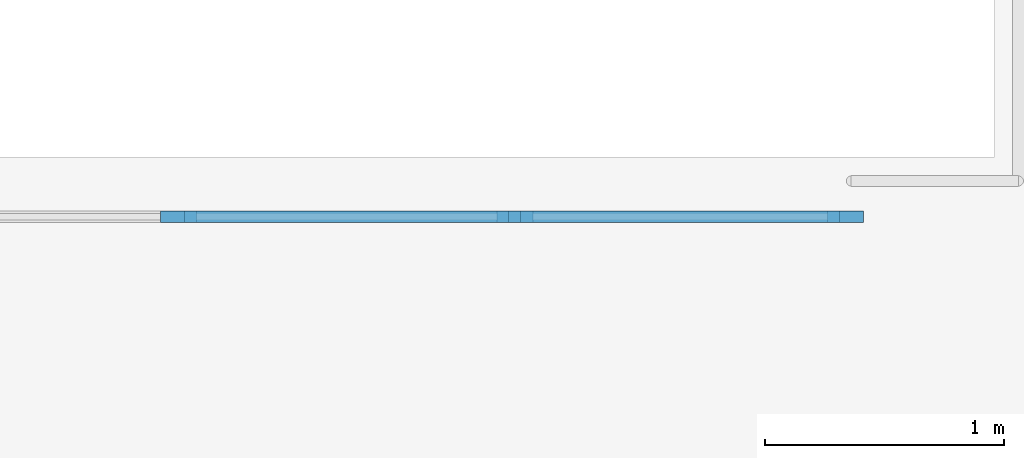
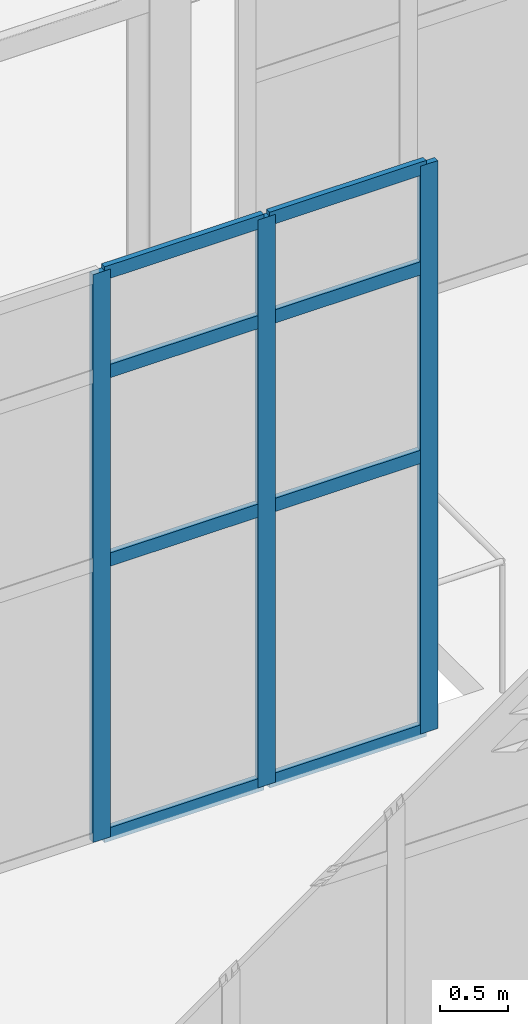
# One storey, part 34 of 139: 11 members, 1 element without a shape of its own.
"""IFC4 building model written with IfcOpenShell, lengths in metres."""

from ifc_helpers import new_model, si_unit, direction, frame, origin, origin_2d, place, context, subcontext, project, spatial, rectangle, extrude, material, layer, layer_set, material_profile, profile_set, type_object, element, aggregate, save


model = new_model("IFC4")

# Units and contexts
model_context = context("Model", 3, precision=1e-05, world=origin(), true_north=direction((0.0, 1.0)))
body_context = subcontext(model_context, "Body", "Model", "MODEL_VIEW")
ifc_project = project(units=[si_unit("LENGTHUNIT", "METRE"), si_unit("AREAUNIT", "SQUARE_METRE"), si_unit("VOLUMEUNIT", "CUBIC_METRE"), si_unit("PLANEANGLEUNIT", "RADIAN"), si_unit("MASSUNIT", "GRAM", prefix="KILO")], contexts=[model_context])

# Site, building, storey
site_placement = place(None, origin())
site = spatial("IfcSite", under=ifc_project, at=site_placement, CompositionType="ELEMENT")
building_placement = place(site_placement, origin())
building = spatial("IfcBuilding", under=site, at=building_placement, Name="Yeouljin Market Hall", CompositionType="ELEMENT")
storey_placement = place(building_placement, origin())
storey = spatial("IfcBuildingStorey", under=building, at=storey_placement, Name="L00", CompositionType="ELEMENT", Elevation=0.0)

# Curtain wall, members
ifc_material_1 = material(Name="Thermally Broken Aluminium", Category="aluminium")
ifc_layer = layer(ifc_material_1, 0.14990234375)
ifc_layer_set = layer_set([ifc_layer], Name="Thermally Broken Aluminium")
curtain_wall_type = type_object("IfcCurtainWallType", Name="CW_ColonnadeScreen_System", PredefinedType="USERDEFINED", material=ifc_layer_set)
curtain_wall_placement = place(storey_placement, origin())
curtain_wall = element("IfcCurtainWall", 1, at=curtain_wall_placement, inside=storey, type_object=curtain_wall_type, Name="Curtain wall CW-V5N-L00-4", ObjectType="CURTAIN WALL", PredefinedType="USERDEFINED")
ifc_material_2 = material(Name="Thermally Broken Aluminium", Category="aluminium")
ifc_material_profile_1 = material_profile(ifc_material_2, rectangle(XDim=0.048095703125, YDim=0.14990234375, at=origin_2d()), Name="CW-MULL-48x150")
ifc_profile_set_1 = profile_set([ifc_material_profile_1], Name="Thermally Broken Aluminium")
member_type_1 = type_object("IfcMemberType", Name="CWMullion_48x150", PredefinedType="MULLION", material=ifc_profile_set_1)
member_1_placement = place(storey_placement, frame((118.38330078125, 4.550048828125, 0.0), z_axis=(0.0, 0.0, 1.0), x_axis=(0.0, 1.0, 0.0)))
member_1 = element("IfcMember", 2, at=member_1_placement, type_object=member_type_1, Name="CW-06 mullion 5", PredefinedType="MULLION", context=body_context, shape_type="SweptSolid", body=[
    extrude(rectangle(XDim=0.048095703125, YDim=0.14990234375, at=origin_2d()), origin(), (0.0, 0.0, 1.0), 5.1201171875),
])
member_2_placement = place(storey_placement, frame((119.791748046875, 4.550048828125, 0.0), z_axis=(0.0, 0.0, 1.0), x_axis=(0.0, 1.0, 0.0)))
member_2 = element("IfcMember", 3, at=member_2_placement, type_object=member_type_1, Name="CW-06 mullion 6", PredefinedType="MULLION", context=body_context, shape_type="SweptSolid", body=[
    extrude(rectangle(XDim=0.048095703125, YDim=0.14990234375, at=origin_2d()), origin(), (0.0, 0.0, 1.0), 5.1201171875),
])
member_3_placement = place(storey_placement, frame((121.176025390625, 4.550048828125, 0.0), z_axis=(0.0, 0.0, 1.0), x_axis=(0.0, 1.0, 0.0)))
member_3 = element("IfcMember", 4, at=member_3_placement, type_object=member_type_1, Name="CW-06 mullion 7", PredefinedType="MULLION", context=body_context, shape_type="SweptSolid", body=[
    extrude(rectangle(XDim=0.048095703125, YDim=0.14990234375, at=origin_2d()), origin(), (0.0, 0.0, 1.0), 5.1201171875),
])
ifc_material_3 = material(Name="Thermally Broken Aluminium", Category="aluminium")
ifc_material_profile_2 = material_profile(ifc_material_3, rectangle(XDim=0.048095703125, YDim=0.1201171875, at=origin_2d()), Name="CW-TRAN-48x120")
ifc_profile_set_2 = profile_set([ifc_material_profile_2], Name="Thermally Broken Aluminium")
member_type_2 = type_object("IfcMemberType", Name="CWTransom_48x120", PredefinedType="USERDEFINED", material=ifc_profile_set_2)
member_4_placement = place(storey_placement, frame((118.4072265625, 4.550048828125, 0.02392578125), z_axis=(1.0, 0.0, 0.0), x_axis=(0.0, 1.0, 0.0)))
member_4 = element("IfcMember", 5, at=member_4_placement, type_object=member_type_2, Name="CW-06 transom 5.1", ObjectType="TRANSOM", PredefinedType="USERDEFINED", context=body_context, shape_type="SweptSolid", body=[
    extrude(rectangle(XDim=0.048095703125, YDim=0.1201171875, at=origin_2d()), origin(), (0.0, 0.0, 1.0), 1.3603515625),
])
member_5_placement = place(storey_placement, frame((118.4072265625, 4.550048828125, 2.5), z_axis=(1.0, 0.0, 0.0), x_axis=(0.0, 1.0, 0.0)))
member_5 = element("IfcMember", 6, at=member_5_placement, type_object=member_type_2, Name="CW-06 transom 5.2", ObjectType="TRANSOM", PredefinedType="USERDEFINED", context=body_context, shape_type="SweptSolid", body=[
    extrude(rectangle(XDim=0.048095703125, YDim=0.1201171875, at=origin_2d()), origin(), (0.0, 0.0, 1.0), 1.3603515625),
])
member_6_placement = place(storey_placement, frame((118.4072265625, 4.550048828125, 4.199951171875), z_axis=(1.0, 0.0, 0.0), x_axis=(0.0, 1.0, 0.0)))
member_6 = element("IfcMember", 7, at=member_6_placement, type_object=member_type_2, Name="CW-06 transom 5.3", ObjectType="TRANSOM", PredefinedType="USERDEFINED", context=body_context, shape_type="SweptSolid", body=[
    extrude(rectangle(XDim=0.048095703125, YDim=0.1201171875, at=origin_2d()), origin(), (0.0, 0.0, 1.0), 1.3603515625),
])
member_7_placement = place(storey_placement, frame((118.4072265625, 4.550048828125, 5.095947265625), z_axis=(1.0, 0.0, 0.0), x_axis=(0.0, 1.0, 0.0)))
member_7 = element("IfcMember", 8, at=member_7_placement, type_object=member_type_2, Name="CW-06 transom 5.4", ObjectType="TRANSOM", PredefinedType="USERDEFINED", context=body_context, shape_type="SweptSolid", body=[
    extrude(rectangle(XDim=0.048095703125, YDim=0.1201171875, at=origin_2d()), origin(), (0.0, 0.0, 1.0), 1.3603515625),
])
member_8_placement = place(storey_placement, frame((119.815673828125, 4.550048828125, 0.02392578125), z_axis=(1.0, 0.0, 0.0), x_axis=(0.0, 1.0, 0.0)))
member_8 = element("IfcMember", 9, at=member_8_placement, type_object=member_type_2, Name="CW-06 transom 6.1", ObjectType="TRANSOM", PredefinedType="USERDEFINED", context=body_context, shape_type="SweptSolid", body=[
    extrude(rectangle(XDim=0.048095703125, YDim=0.1201171875, at=origin_2d()), origin(), (0.0, 0.0, 1.0), 1.33642578125),
])
member_9_placement = place(storey_placement, frame((119.815673828125, 4.550048828125, 2.5), z_axis=(1.0, 0.0, 0.0), x_axis=(0.0, 1.0, 0.0)))
member_9 = element("IfcMember", 10, at=member_9_placement, type_object=member_type_2, Name="CW-06 transom 6.2", ObjectType="TRANSOM", PredefinedType="USERDEFINED", context=body_context, shape_type="SweptSolid", body=[
    extrude(rectangle(XDim=0.048095703125, YDim=0.1201171875, at=origin_2d()), origin(), (0.0, 0.0, 1.0), 1.33642578125),
])
member_10_placement = place(storey_placement, frame((119.815673828125, 4.550048828125, 4.199951171875), z_axis=(1.0, 0.0, 0.0), x_axis=(0.0, 1.0, 0.0)))
member_10 = element("IfcMember", 11, at=member_10_placement, type_object=member_type_2, Name="CW-06 transom 6.3", ObjectType="TRANSOM", PredefinedType="USERDEFINED", context=body_context, shape_type="SweptSolid", body=[
    extrude(rectangle(XDim=0.048095703125, YDim=0.1201171875, at=origin_2d()), origin(), (0.0, 0.0, 1.0), 1.33642578125),
])
member_11_placement = place(storey_placement, frame((119.815673828125, 4.550048828125, 5.095947265625), z_axis=(1.0, 0.0, 0.0), x_axis=(0.0, 1.0, 0.0)))
member_11 = element("IfcMember", 12, at=member_11_placement, type_object=member_type_2, Name="CW-06 transom 6.4", ObjectType="TRANSOM", PredefinedType="USERDEFINED", context=body_context, shape_type="SweptSolid", body=[
    extrude(rectangle(XDim=0.048095703125, YDim=0.1201171875, at=origin_2d()), origin(), (0.0, 0.0, 1.0), 1.33642578125),
])
aggregate(curtain_wall, [member_1, member_2, member_3, member_4, member_5, member_6, member_7, member_8, member_9, member_10, member_11])

save(model, "model.ifc")
